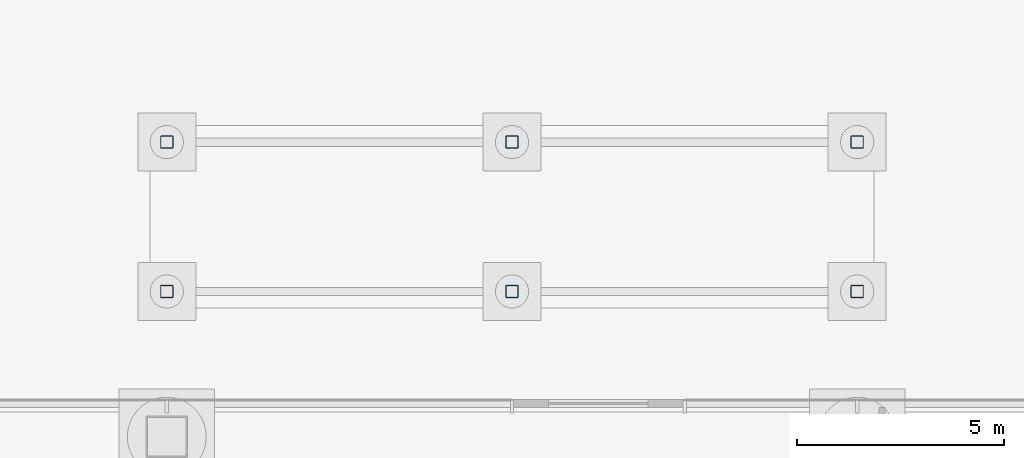
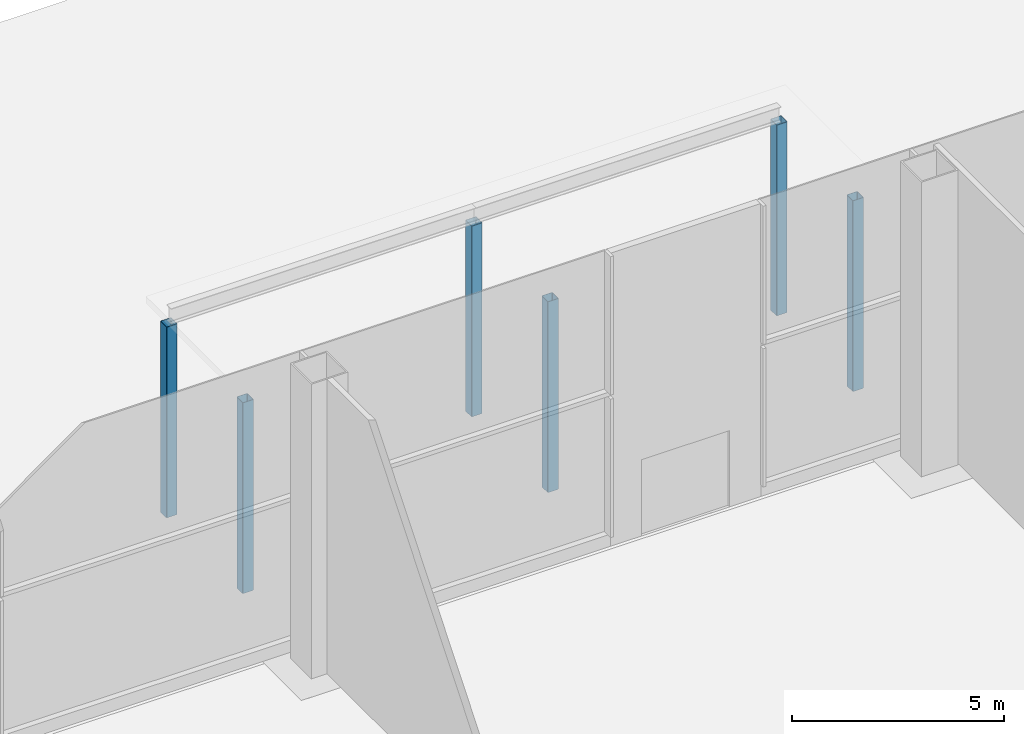
# One storey, part 19 of 113: 6 columns.
"""IFC4 building model written with IfcOpenShell, lengths in metres."""

from ifc_helpers import new_model, si_unit, direction, frame, origin, origin_2d, place, context, subcontext, project, spatial, hollow_rectangle, extrude, material, material_profile, profile_set, type_object, element, save


model = new_model("IFC4")

# Units and contexts
model_context = context("Model", 3, precision=1e-05, world=origin(), true_north=direction((0.0, 1.0)))
body_context = subcontext(model_context, "Body", "Model", "MODEL_VIEW")
ifc_project = project(units=[si_unit("LENGTHUNIT", "METRE"), si_unit("AREAUNIT", "SQUARE_METRE"), si_unit("VOLUMEUNIT", "CUBIC_METRE"), si_unit("PLANEANGLEUNIT", "RADIAN"), si_unit("MASSUNIT", "GRAM", prefix="KILO")], contexts=[model_context])

# Site, building, storey
site_placement = place(None, origin())
site = spatial("IfcSite", under=ifc_project, at=site_placement, CompositionType="ELEMENT")
building_placement = place(site_placement, origin())
building = spatial("IfcBuilding", under=site, at=building_placement, Name="Hakoniwa Tower and Hamabe Station Hall", CompositionType="ELEMENT")
storey_placement = place(building_placement, origin())
storey = spatial("IfcBuildingStorey", under=building, at=storey_placement, Name="L01", CompositionType="ELEMENT", Elevation=0.0)

# Columns
ifc_material = material(Name="Steel BCR295", Category="steel")
ifc_material_profile = material_profile(ifc_material, hollow_rectangle(XDim=0.300048828125, YDim=0.300048828125, WallThickness=0.009033203125, InnerFilletRadius=0.013427734375, OuterFilletRadius=0.0224609375, at=origin_2d()), Name="BCR-300x300x9")
ifc_profile_set = profile_set([ifc_material_profile], Name="Steel BCR295")
column_type = type_object("IfcColumnType", Name="CANOPY COLUMN BCR-300x300x9", PredefinedType="COLUMN", material=ifc_profile_set)
for number, where, z_axis, x_axis, name in (
    (1, (127.550048828125, 26.89990234375, 0.0), (0.0, 0.0, 1.0), (1.0, 0.0, 0.0), "Canopy column N11"),
    (2, (135.8701171875, 26.89990234375, 0.0), (0.0, 0.0, 1.0), (1.0, 0.0, 0.0), "Canopy column N12"),
    (3, (144.18994140625, 26.89990234375, 0.0), (0.0, 0.0, 1.0), (1.0, 0.0, 0.0), "Canopy column N13"),
    (4, (127.550048828125, 30.5, 0.0), (0.0, 0.0, 1.0), (1.0, 0.0, 0.0), "Canopy column N21"),
    (5, (135.8701171875, 30.5, 0.0), (0.0, 0.0, 1.0), (1.0, 0.0, 0.0), "Canopy column N22"),
    (6, (144.18994140625, 30.5, 0.0), (0.0, 0.0, 1.0), (1.0, 0.0, 0.0), "Canopy column N23"),
):
    element("IfcColumn", number, at=place(storey_placement, frame(where, z_axis=z_axis, x_axis=x_axis)), inside=storey, type_object=column_type, Name=name, PredefinedType="COLUMN", context=body_context, shape_type="SweptSolid", body=[
        extrude(hollow_rectangle(XDim=0.300048828125, YDim=0.300048828125, WallThickness=0.009033203125, InnerFilletRadius=0.013427734375, OuterFilletRadius=0.0224609375, at=origin_2d()), origin(), (0.0, 0.0, 1.0), 5.5),
    ])

save(model, "model.ifc")
